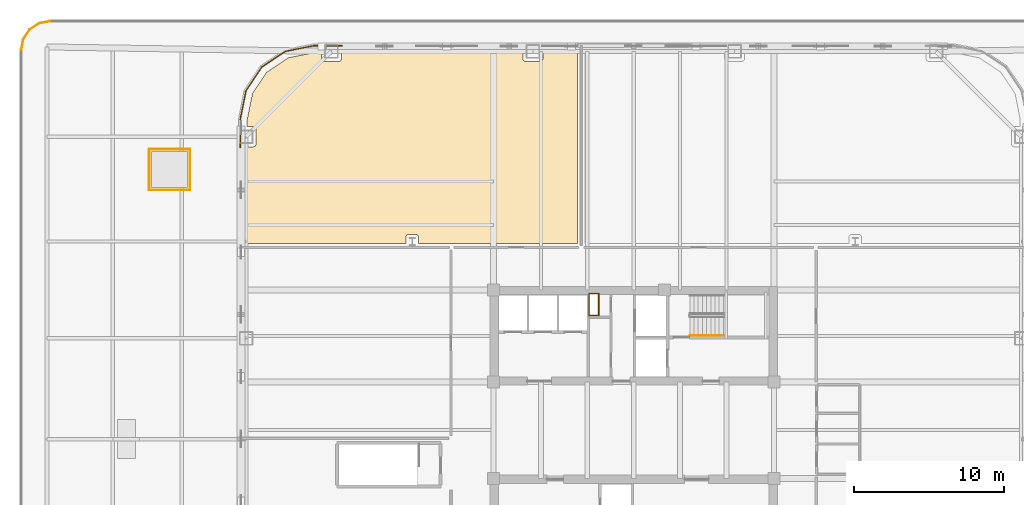
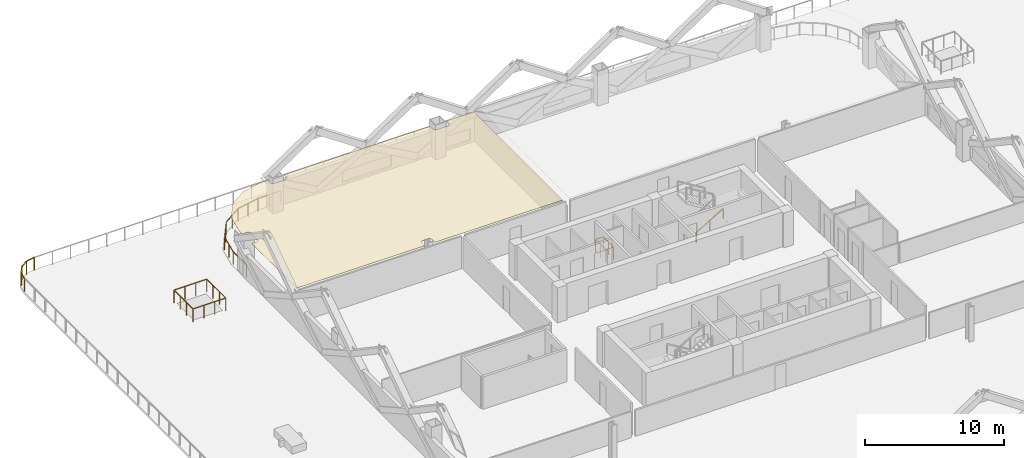
# One storey, part 14 of 17: 11 railings, 1 covering.
"""IFC4 building model written with IfcOpenShell, lengths in metres."""

import ifcopenshell
import ifcopenshell.guid

model = None  # the IFC model being written
_history = None  # IfcOwnerHistory: only IFC2X3 demands one
_inside = {}  # id of a spatial element -> (the spatial element, [elements in it])
_under = {}  # id of a project, library or spatial element -> (it, [spatial elements below it])
_declared = {}  # id of a project -> (the project, [libraries it declares])
_typed = {}  # id of a type object -> (the type object, [elements of that type])
_made_of = {}  # id of a material, layer set ... -> (it, [elements and type objects made of it])


def new_model(schema):
    """Start an empty IFC model of exactly this schema.

    Asked for "IFC4X3", IfcOpenShell would pick the latest addendum, in which some entities
    have other attributes; the version numbers below select the first issue.
    IFC2X3 requires an IfcOwnerHistory on every rooted entity: one is made here for all.
    """
    global model, _history
    if schema == "IFC4X3":
        model = ifcopenshell.file(schema_version=(4, 3, 0, 0))
    else:
        model = ifcopenshell.file(schema=schema)
    _inside.clear()
    _under.clear()
    _declared.clear()
    _typed.clear()
    _made_of.clear()
    _history = None
    if model.schema == "IFC2X3":
        org = make("IfcOrganization", Name="unknown")
        user = make(
            "IfcPersonAndOrganization",
            ThePerson=make("IfcPerson", FamilyName="unknown"),
            TheOrganization=org,
        )
        app = make(
            "IfcApplication",
            ApplicationDeveloper=org,
            Version="unknown",
            ApplicationFullName="unknown",
            ApplicationIdentifier="unknown",
        )
        _history = make(
            "IfcOwnerHistory",
            OwningUser=user,
            OwningApplication=app,
            ChangeAction="ADDED",
            CreationDate=0,
        )
    return model


def make(cls, **values):
    """One entity of the class cls with the attributes given. An attribute that is None is left unset."""
    return model.create_entity(
        cls, **{name: value for name, value in values.items() if value is not None}
    )


def rooted(cls, **values):
    """An entity with a GlobalId (a new one), such as an element, a storey or a relation."""
    return make(cls, GlobalId=ifcopenshell.guid.new(), OwnerHistory=_history, **values)


def si_unit(unit_type, name, prefix=None):
    """IfcSIUnit, for example si_unit("LENGTHUNIT", "METRE", prefix="MILLI")."""
    return make("IfcSIUnit", UnitType=unit_type, Prefix=prefix, Name=name)


def assignment(units):
    """IfcUnitAssignment: the units of a project."""
    return None if units is None else make("IfcUnitAssignment", Units=units)


def point(xyz):
    """IfcCartesianPoint."""
    return None if xyz is None else make("IfcCartesianPoint", Coordinates=xyz)


def direction(xyz):
    """IfcDirection."""
    return None if xyz is None else make("IfcDirection", DirectionRatios=xyz)


def frame(location, z_axis=None, x_axis=None):
    """IfcAxis2Placement3D, a coordinate frame: its origin and axes. An axis left out is left unset."""
    return make(
        "IfcAxis2Placement3D",
        Location=point(location),
        Axis=direction(z_axis),
        RefDirection=direction(x_axis),
    )


def frame_2d(location, x_axis=None):
    """IfcAxis2Placement2D, a coordinate frame in the plane: its origin and x axis."""
    return make(
        "IfcAxis2Placement2D", Location=point(location), RefDirection=direction(x_axis)
    )


def origin():
    """The frame at (0, 0, 0) with its axes left unset."""
    return frame((0.0, 0.0, 0.0))


def origin_2d():
    """The frame at (0, 0) in the plane with its x axis left unset."""
    return frame_2d((0.0, 0.0))


def place(relative_to, where):
    """IfcLocalPlacement: puts the frame where relative to a parent placement (None: the world)."""
    return make(
        "IfcLocalPlacement", PlacementRelTo=relative_to, RelativePlacement=where
    )


def context(
    kind, dimensions, precision=None, world=None, true_north=None, identifier=None
):
    """IfcGeometricRepresentationContext, for example the 3D "Model" context."""
    return make(
        "IfcGeometricRepresentationContext",
        ContextIdentifier=identifier,
        ContextType=kind,
        CoordinateSpaceDimension=dimensions,
        Precision=precision,
        WorldCoordinateSystem=world,
        TrueNorth=true_north,
    )


def subcontext(parent, identifier, kind, view, scale=None):
    """IfcGeometricRepresentationSubContext, for example "Body" below "Model"."""
    return make(
        "IfcGeometricRepresentationSubContext",
        ContextIdentifier=identifier,
        ContextType=kind,
        ParentContext=parent,
        TargetScale=scale,
        TargetView=view,
    )


def project(units=None, contexts=None):
    """IfcProject with its units and contexts."""
    return rooted(
        "IfcProject",
        Name="project",
        RepresentationContexts=contexts,
        UnitsInContext=assignment(units),
    )


def spatial(cls, under=None, at=None, **own):
    """A site, building, storey or space (cls), placed at a placement, below another one or the project."""
    s = rooted(cls, ObjectPlacement=at, **own)
    if under is not None:
        _under.setdefault(under.id(), (under, []))[1].append(s)
    return s


def polyline(points):
    """IfcPolyline through the points."""
    return make("IfcPolyline", Points=[point(p) for p in points])


def profile(cls, at=None, kind="AREA", **sizes):
    """A parametric profile (cls). Its sizes go by their IFC names, for example OverallWidth=200.0."""
    return make(cls, ProfileType=kind, Position=at, **sizes)


def rectangle(**sizes):
    """IfcRectangleProfileDef."""
    return profile("IfcRectangleProfileDef", **sizes)


def outline(outer, holes=None, kind="AREA"):
    """IfcArbitraryClosedProfileDef: a profile drawn as a closed curve; with holes, ...WithVoids."""
    if holes is None:
        return make("IfcArbitraryClosedProfileDef", ProfileType=kind, OuterCurve=outer)
    return make(
        "IfcArbitraryProfileDefWithVoids",
        ProfileType=kind,
        OuterCurve=outer,
        InnerCurves=holes,
    )


def extrude(swept, where, along, depth):
    """IfcExtrudedAreaSolid: the profile swept, set in the frame where, extruded along a direction by depth."""
    return make(
        "IfcExtrudedAreaSolid",
        SweptArea=swept,
        Position=where,
        ExtrudedDirection=direction(along),
        Depth=depth,
    )


def shape(context_of_items, identifier, shape_type, items):
    """IfcShapeRepresentation: the items that make up one representation, for example the "Body"."""
    return make(
        "IfcShapeRepresentation",
        ContextOfItems=context_of_items,
        RepresentationIdentifier=identifier,
        RepresentationType=shape_type,
        Items=items,
    )


def material(Name=None, Category=None):
    """IfcMaterial."""
    return make("IfcMaterial", Name=Name, Category=Category)


def layer(
    of_material, thickness, ventilated=None, Name=None, Category=None, Priority=None
):
    """IfcMaterialLayer: one layer of a wall or slab, of a material (None: an air gap)."""
    return make(
        "IfcMaterialLayer",
        Material=of_material,
        LayerThickness=thickness,
        IsVentilated=ventilated,
        Name=Name,
        Category=Category,
        Priority=Priority,
    )


def layer_set(layers, Name=None):
    """IfcMaterialLayerSet."""
    return make("IfcMaterialLayerSet", MaterialLayers=layers, LayerSetName=Name)


def made_of(thing, what):
    """Note that an element or type object is made of a material, layer set ...; save() writes the relation."""
    if what is not None:
        _made_of.setdefault(what.id(), (what, []))[1].append(thing)
    return thing


def type_object(cls, material=None, **own):
    """A type object (cls), such as IfcWallType, which elements share."""
    return made_of(rooted(cls, **own), material)


def element(
    cls,
    number,
    at=None,
    inside=None,
    cuts=None,
    type_object=None,
    material=None,
    context=None,
    identifier="Body",
    shape_type=None,
    held_by="IfcProductDefinitionShape",
    body=None,
    shapes=None,
    **own,
):
    """One element of the class cls, such as IfcWall. Its Tag is "e" and its number.

    at: its placement. inside: the storey or other place that contains it. cuts: it is an
    opening in that element (IfcRelVoidsElement). A single representation is given by context,
    identifier, shape_type and body (its items); several are given by shapes. held_by: the class
    of the entity that holds the representations. save() writes the other relations.
    """
    e = rooted(cls, Tag="e%d" % number, ObjectPlacement=at, **own)
    if body is not None:
        shapes = [shape(context, identifier, shape_type, body)]
    if shapes is not None:
        e.Representation = make(held_by, Representations=shapes)
    if inside is not None:
        _inside.setdefault(inside.id(), (inside, []))[1].append(e)
    if cuts is not None:
        rooted(
            "IfcRelVoidsElement", RelatingBuildingElement=cuts, RelatedOpeningElement=e
        )
    if type_object is not None:
        _typed.setdefault(type_object.id(), (type_object, []))[1].append(e)
    return made_of(e, material)


def aggregate(whole, parts):
    """IfcRelAggregates: a whole, such as a stair, and the parts it consists of."""
    return rooted("IfcRelAggregates", RelatingObject=whole, RelatedObjects=parts)


def save(model, path):
    """Write the relations noted so far, then the file.

    IfcRelAggregates (storeys below a building ...), IfcRelContainedInSpatialStructure (elements
    in a storey), IfcRelDefinesByType, IfcRelAssociatesMaterial and IfcRelDeclares: one each for
    every whole, place, type object, material and project.
    """
    for whole, parts in _under.values():
        aggregate(whole, parts)
    for where, things in _inside.values():
        rooted(
            "IfcRelContainedInSpatialStructure",
            RelatedElements=things,
            RelatingStructure=where,
        )
    for kind, things in _typed.values():
        rooted("IfcRelDefinesByType", RelatedObjects=things, RelatingType=kind)
    for what, things in _made_of.values():
        rooted("IfcRelAssociatesMaterial", RelatedObjects=things, RelatingMaterial=what)
    for by, libraries in _declared.values():
        rooted("IfcRelDeclares", RelatingContext=by, RelatedDefinitions=libraries)
    model.write(path)


model = new_model("IFC4")

# Units and contexts
model_context = context("Model", 3, precision=1e-05, world=origin(), true_north=direction((0.0, 1.0)))
body_context = subcontext(model_context, "Body", "Model", "MODEL_VIEW")
ifc_project = project(units=[si_unit("LENGTHUNIT", "METRE"), si_unit("AREAUNIT", "SQUARE_METRE"), si_unit("VOLUMEUNIT", "CUBIC_METRE"), si_unit("PLANEANGLEUNIT", "RADIAN"), si_unit("MASSUNIT", "GRAM", prefix="KILO")], contexts=[model_context])

# Site, building, storey
site_placement = place(None, origin())
site = spatial("IfcSite", under=ifc_project, at=site_placement, CompositionType="ELEMENT")
building_placement = place(site_placement, origin())
building = spatial("IfcBuilding", under=site, at=building_placement, Name="Qhalaya Broadcast Tower", CompositionType="ELEMENT")
storey_placement = place(building_placement, frame((0.0, 0.0, 26.10009765625)))
storey = spatial("IfcBuildingStorey", under=building, at=storey_placement, Name="L06", CompositionType="ELEMENT", Elevation=26.10009765625)

# Covering
ifc_material_1 = material(Name="Acoustic Mineral-Fibre Ceiling")
ifc_layer = layer(ifc_material_1, 0.0400390625, Name="Acoustic Mineral-Fibre Ceiling")
ifc_layer_set = layer_set([ifc_layer], Name="Acoustic Mineral-Fibre Ceiling")
covering_type = type_object("IfcCoveringType", Name="Acoustic Mineral-Fibre Suspended Ceiling CLG-01", PredefinedType="CEILING", material=ifc_layer_set)
covering_placement = place(storey_placement, frame((0.0, 0.0, 2.789794921875)))
element("IfcCovering", 1, at=covering_placement, inside=storey, type_object=covering_type, Name="L06 Acoustic Suspended Ceiling 01", PredefinedType="CEILING", context=body_context, shape_type="SweptSolid", body=[
    extrude(outline(polyline([(-25.820068359375, 19.530029296875), (-25.820068359375, 13.06005859375), (-15.22900390625, 13.06005859375), (-15.22900390625, 13.47509765625), (-15.22802734375, 13.49462890625), (-15.22509765625, 13.513916015625), (-15.220458984375, 13.533203125), (-15.2138671875, 13.551513671875), (-15.205322265625, 13.5693359375), (-15.1953125, 13.586181640625), (-15.18359375, 13.601806640625), (-15.17041015625, 13.616455078125), (-15.156005859375, 13.629638671875), (-15.14013671875, 13.641357421875), (-15.123291015625, 13.6513671875), (-15.10546875, 13.659912109375), (-15.087158203125, 13.66650390625), (-15.068115234375, 13.671142578125), (-15.048583984375, 13.674072265625), (-15.029052734375, 13.675048828125), (-14.571044921875, 13.675048828125), (-14.551513671875, 13.674072265625), (-14.531982421875, 13.671142578125), (-14.512939453125, 13.66650390625), (-14.494384765625, 13.659912109375), (-14.476806640625, 13.6513671875), (-14.4599609375, 13.641357421875), (-14.444091796875, 13.629638671875), (-14.4296875, 13.616455078125), (-14.41650390625, 13.601806640625), (-14.40478515625, 13.586181640625), (-14.39453125, 13.5693359375), (-14.38623046875, 13.551513671875), (-14.379638671875, 13.533203125), (-14.374755859375, 13.513916015625), (-14.3720703125, 13.49462890625), (-14.37109375, 13.47509765625), (-14.37109375, 13.06005859375), (-3.760009765625, 13.06005859375), (-3.760009765625, 25.820068359375), (-6.063232421875, 25.820068359375), (-6.063232421875, 25.429931640625), (-6.064208984375, 25.410400390625), (-6.067138671875, 25.39111328125), (-6.072021484375, 25.371826171875), (-6.07861328125, 25.353515625), (-6.0869140625, 25.335693359375), (-6.096923828125, 25.31884765625), (-6.108642578125, 25.302978515625), (-6.121826171875, 25.28857421875), (-6.136474609375, 25.275390625), (-6.152099609375, 25.263671875), (-6.1689453125, 25.253662109375), (-6.186767578125, 25.2451171875), (-6.205078125, 25.238525390625), (-6.224365234375, 25.23388671875), (-6.24365234375, 25.23095703125), (-6.26318359375, 25.22998046875), (-7.203369140625, 25.22998046875), (-7.222900390625, 25.23095703125), (-7.2421875, 25.23388671875), (-7.261474609375, 25.238525390625), (-7.27978515625, 25.2451171875), (-7.297607421875, 25.253662109375), (-7.314453125, 25.263671875), (-7.330078125, 25.275390625), (-7.3447265625, 25.28857421875), (-7.35791015625, 25.302978515625), (-7.36962890625, 25.31884765625), (-7.379638671875, 25.335693359375), (-7.38818359375, 25.353515625), (-7.394775390625, 25.371826171875), (-7.3994140625, 25.39111328125), (-7.40234375, 25.410400390625), (-7.4033203125, 25.429931640625), (-7.4033203125, 25.820068359375), (-19.530029296875, 25.820068359375), (-19.530029296875, 25.429931640625), (-19.531005859375, 25.410400390625), (-19.53369140625, 25.39111328125), (-19.53857421875, 25.371826171875), (-19.545166015625, 25.353515625), (-19.5537109375, 25.335693359375), (-19.563720703125, 25.31884765625), (-19.575439453125, 25.302978515625), (-19.588623046875, 25.28857421875), (-19.60302734375, 25.275390625), (-19.618896484375, 25.263671875), (-19.6357421875, 25.253662109375), (-19.653564453125, 25.2451171875), (-19.671875, 25.238525390625), (-19.69091796875, 25.23388671875), (-19.71044921875, 25.23095703125), (-19.72998046875, 25.22998046875), (-20.669921875, 25.22998046875), (-20.689697265625, 25.23095703125), (-20.708984375, 25.23388671875), (-20.72802734375, 25.238525390625), (-20.74658203125, 25.2451171875), (-20.764404296875, 25.253662109375), (-20.781005859375, 25.263671875), (-20.796875, 25.275390625), (-20.811279296875, 25.28857421875), (-20.82470703125, 25.302978515625), (-20.836181640625, 25.31884765625), (-20.846435546875, 25.335693359375), (-20.854736328125, 25.353515625), (-20.861328125, 25.371826171875), (-20.8662109375, 25.39111328125), (-20.868896484375, 25.410400390625), (-20.8701171875, 25.429931640625), (-20.8701171875, 25.820068359375), (-21.343017578125, 25.820068359375), (-23.087158203125, 25.472900390625), (-24.517333984375, 24.517333984375), (-25.472900390625, 23.087158203125), (-25.820068359375, 21.343017578125), (-25.820068359375, 20.8701171875), (-25.429931640625, 20.8701171875), (-25.410400390625, 20.868896484375), (-25.39111328125, 20.8662109375), (-25.371826171875, 20.861328125), (-25.353515625, 20.854736328125), (-25.335693359375, 20.846435546875), (-25.31884765625, 20.836181640625), (-25.302978515625, 20.82470703125), (-25.28857421875, 20.811279296875), (-25.275390625, 20.796875), (-25.263671875, 20.781005859375), (-25.253662109375, 20.764404296875), (-25.2451171875, 20.74658203125), (-25.238525390625, 20.72802734375), (-25.23388671875, 20.708984375), (-25.23095703125, 20.689697265625), (-25.22998046875, 20.669921875), (-25.22998046875, 19.72998046875), (-25.23095703125, 19.71044921875), (-25.23388671875, 19.69091796875), (-25.238525390625, 19.671875), (-25.2451171875, 19.653564453125), (-25.253662109375, 19.6357421875), (-25.263671875, 19.618896484375), (-25.275390625, 19.60302734375), (-25.28857421875, 19.588623046875), (-25.302978515625, 19.575439453125), (-25.31884765625, 19.563720703125), (-25.335693359375, 19.5537109375), (-25.353515625, 19.545166015625), (-25.371826171875, 19.53857421875), (-25.39111328125, 19.53369140625), (-25.410400390625, 19.531005859375), (-25.429931640625, 19.530029296875), (-25.820068359375, 19.530029296875)])), origin(), (0.0, 0.0, 1.0), 0.0400390625),
])

# Railings
ifc_material_2 = material(Name="Powder-Coated Galvanised Steel", Category="steel")
railing_type_1 = type_object("IfcRailingType", Name="Stair Wall Handrail 900", PredefinedType="HANDRAIL", material=ifc_material_2)
railing_1_placement = place(storey_placement, frame((3.75, 6.929931640625, 0.16943359375)))
element("IfcRailing", 2, at=railing_1_placement, inside=storey, type_object=railing_type_1, Name="L06 ST-1 Stair Handrail 1", PredefinedType="HANDRAIL", context=body_context, shape_type="SweptSolid", body=[
    extrude(rectangle(XDim=0.048095703125, YDim=0.048095703125, at=origin_2d()), frame((0.0, 0.0, 0.8759765625), z_axis=(0.855553338991, 0.0, 0.51771467445), x_axis=(0.0, 1.0, 0.0)), (0.0, 0.0, 1.0), 2.6181640625),
    extrude(rectangle(XDim=0.0419921875, YDim=0.0419921875, at=origin_2d()), origin(), (0.0, 0.0, 1.0), 0.849853515625),
    extrude(rectangle(XDim=0.0419921875, YDim=0.0419921875, at=origin_2d()), frame((1.1201171875, 0.0, 0.677734375)), (0.0, 0.0, 1.0), 0.849853515625),
    extrude(rectangle(XDim=0.0419921875, YDim=0.0419921875, at=origin_2d()), frame((2.239990234375, 0.0, 1.35546875)), (0.0, 0.0, 1.0), 0.849853515625),
])
railing_type_2 = type_object("IfcRailingType", Name="Stair Well & Landing Guardrail 1100", PredefinedType="GUARDRAIL", material=ifc_material_2)
railing_2_placement = place(storey_placement, frame((-2.340087890625, 8.239990234375, 0.0)))
element("IfcRailing", 3, at=railing_2_placement, inside=storey, type_object=railing_type_2, Name="L06 Service Riser Opening Safety Guard NRSR", PredefinedType="GUARDRAIL", context=body_context, shape_type="SweptSolid", body=[
    extrude(rectangle(XDim=0.048095703125, YDim=0.048095703125, at=origin_2d()), frame((0.0, 0.02880859375, 1.1259765625), z_axis=(0.0, 1.0, 0.0), x_axis=(-1.0, 0.0, 0.0)), (0.0, 0.0, 1.0), 1.42236328125),
    extrude(rectangle(XDim=0.048095703125, YDim=0.048095703125, at=origin_2d()), frame((-0.02880859375, 1.47998046875, 1.1259765625), z_axis=(-1.0, 0.0, 0.0), x_axis=(0.0, -1.0, 0.0)), (0.0, 0.0, 1.0), 0.582275390625),
    extrude(rectangle(XDim=0.048095703125, YDim=0.048095703125, at=origin_2d()), frame((-0.639892578125, 1.451171875, 1.1259765625), z_axis=(0.0, -1.0, 0.0), x_axis=(1.0, 0.0, 0.0)), (0.0, 0.0, 1.0), 1.42236328125),
    extrude(rectangle(XDim=0.048095703125, YDim=0.048095703125, at=origin_2d()), frame((-0.611083984375, 0.0, 1.1259765625), z_axis=(1.0, 0.0, 0.0), x_axis=(0.0, 1.0, 0.0)), (0.0, 0.0, 1.0), 0.582275390625),
    extrude(rectangle(XDim=0.0419921875, YDim=0.0419921875, at=origin_2d()), origin(), (0.0, 0.0, 1.0), 1.099853515625),
    extrude(rectangle(XDim=0.0419921875, YDim=0.0419921875, at=origin_2d()), frame((0.0, 0.739990234375, 0.0)), (0.0, 0.0, 1.0), 1.099853515625),
    extrude(rectangle(XDim=0.0419921875, YDim=0.0419921875, at=origin_2d()), frame((0.0, 1.47998046875, 0.0)), (0.0, 0.0, 1.0), 1.099853515625),
    extrude(rectangle(XDim=0.0419921875, YDim=0.0419921875, at=origin_2d()), frame((-0.639892578125, 1.47998046875, 0.0)), (0.0, 0.0, 1.0), 1.099853515625),
    extrude(rectangle(XDim=0.0419921875, YDim=0.0419921875, at=origin_2d()), frame((-0.639892578125, 0.739990234375, 0.0)), (0.0, 0.0, 1.0), 1.099853515625),
    extrude(rectangle(XDim=0.0419921875, YDim=0.0419921875, at=origin_2d()), frame((-0.639892578125, 0.0, 0.0)), (0.0, 0.0, 1.0), 1.099853515625),
])
railing_type_3 = type_object("IfcRailingType", Name="Terrace, Sky-Pool & Lookout Glass Balustrade 1150", PredefinedType="BALUSTRADE", material=ifc_material_2)
railing_3_placement = place(storey_placement, frame((-40.919921875, 25.9921875, 0.0)))
element("IfcRailing", 4, at=railing_3_placement, inside=storey, type_object=railing_type_3, Name="L06 Perimeter Safety Balustrade BAL-TER1-07", PredefinedType="BALUSTRADE", context=body_context, shape_type="SweptSolid", body=[
    extrude(rectangle(XDim=0.048095703125, YDim=0.048095703125, at=origin_2d()), frame((0.0, 0.0, 1.1259765625), z_axis=(0.194936740243, 0.980815817217, 0.0), x_axis=(-0.980815817217, 0.194936740243, 0.0)), (0.0, 0.0, 1.0), 0.75634765625),
    extrude(rectangle(XDim=0.0419921875, YDim=0.0419921875, at=origin_2d()), origin(), (0.0, 0.0, 1.0), 1.099853515625),
    extrude(rectangle(XDim=0.0419921875, YDim=0.0419921875, at=origin_2d()), frame((0.1474609375, 0.741943359375, 0.0)), (0.0, 0.0, 1.0), 1.099853515625),
])
railing_4_placement = place(storey_placement, frame((-40.7724609375, 26.734130859375, 0.0)))
element("IfcRailing", 5, at=railing_4_placement, inside=storey, type_object=railing_type_3, Name="L06 Perimeter Safety Balustrade BAL-TER1-08", PredefinedType="BALUSTRADE", context=body_context, shape_type="SweptSolid", body=[
    extrude(rectangle(XDim=0.048095703125, YDim=0.048095703125, at=origin_2d()), frame((0.0, 0.0, 1.1259765625), z_axis=(0.555753455158, 0.831347157979, 0.0), x_axis=(-0.831347157979, 0.555753455158, 0.0)), (0.0, 0.0, 1.0), 0.74853515625),
    extrude(rectangle(XDim=0.0419921875, YDim=0.0419921875, at=origin_2d()), origin(), (0.0, 0.0, 1.0), 1.099853515625),
    extrude(rectangle(XDim=0.0419921875, YDim=0.0419921875, at=origin_2d()), frame((0.416015625, 0.622314453125, 0.0)), (0.0, 0.0, 1.0), 1.099853515625),
])
railing_5_placement = place(storey_placement, frame((-40.3564453125, 27.3564453125, 0.0)))
element("IfcRailing", 6, at=railing_5_placement, inside=storey, type_object=railing_type_3, Name="L06 Perimeter Safety Balustrade BAL-TER1-09", PredefinedType="BALUSTRADE", context=body_context, shape_type="SweptSolid", body=[
    extrude(rectangle(XDim=0.048095703125, YDim=0.048095703125, at=origin_2d()), frame((0.0, 0.0, 1.1259765625), z_axis=(0.831347157979, 0.555753455158, 0.0), x_axis=(-0.555753455158, 0.831347157979, 0.0)), (0.0, 0.0, 1.0), 0.74853515625),
    extrude(rectangle(XDim=0.0419921875, YDim=0.0419921875, at=origin_2d()), origin(), (0.0, 0.0, 1.0), 1.099853515625),
    extrude(rectangle(XDim=0.0419921875, YDim=0.0419921875, at=origin_2d()), frame((0.622314453125, 0.416015625, 0.0)), (0.0, 0.0, 1.0), 1.099853515625),
])
railing_6_placement = place(storey_placement, frame((-39.734130859375, 27.7724609375, 0.0)))
element("IfcRailing", 7, at=railing_6_placement, inside=storey, type_object=railing_type_3, Name="L06 Perimeter Safety Balustrade BAL-TER1-10", PredefinedType="BALUSTRADE", context=body_context, shape_type="SweptSolid", body=[
    extrude(rectangle(XDim=0.048095703125, YDim=0.048095703125, at=origin_2d()), frame((0.0, 0.0, 1.1259765625), z_axis=(0.980815817217, 0.194936740243, 0.0), x_axis=(-0.194936740243, 0.980815817217, 0.0)), (0.0, 0.0, 1.0), 0.75634765625),
    extrude(rectangle(XDim=0.0419921875, YDim=0.0419921875, at=origin_2d()), origin(), (0.0, 0.0, 1.0), 1.099853515625),
    extrude(rectangle(XDim=0.0419921875, YDim=0.0419921875, at=origin_2d()), frame((0.741943359375, 0.1474609375, 0.0)), (0.0, 0.0, 1.0), 1.099853515625),
])
railing_7_placement = place(storey_placement, frame((-32.360107421875, 16.639892578125, 0.0)))
element("IfcRailing", 8, at=railing_7_placement, inside=storey, type_object=railing_type_3, Name="L06 Skylight Safety Guard SK2-3-1", PredefinedType="BALUSTRADE", context=body_context, shape_type="SweptSolid", body=[
    extrude(rectangle(XDim=0.048095703125, YDim=0.048095703125, at=origin_2d()), frame((0.0, 0.0, 1.1259765625), z_axis=(1.0, 0.0, 0.0), x_axis=(0.0, 1.0, 0.0)), (0.0, 0.0, 1.0), 2.72021484375),
    extrude(rectangle(XDim=0.0419921875, YDim=0.0419921875, at=origin_2d()), origin(), (0.0, 0.0, 1.0), 1.099853515625),
    extrude(rectangle(XDim=0.0419921875, YDim=0.0419921875, at=origin_2d()), frame((0.90673828125, 0.0, 0.0)), (0.0, 0.0, 1.0), 1.099853515625),
    extrude(rectangle(XDim=0.0419921875, YDim=0.0419921875, at=origin_2d()), frame((1.8134765625, 0.0, 0.0)), (0.0, 0.0, 1.0), 1.099853515625),
    extrude(rectangle(XDim=0.0419921875, YDim=0.0419921875, at=origin_2d()), frame((2.72021484375, 0.0, 0.0)), (0.0, 0.0, 1.0), 1.099853515625),
])
railing_8_placement = place(storey_placement, frame((-29.639892578125, 16.639892578125, 0.0)))
element("IfcRailing", 9, at=railing_8_placement, inside=storey, type_object=railing_type_3, Name="L06 Skylight Safety Guard SK2-3-2", PredefinedType="BALUSTRADE", context=body_context, shape_type="SweptSolid", body=[
    extrude(rectangle(XDim=0.048095703125, YDim=0.048095703125, at=origin_2d()), frame((0.0, 0.0, 1.1259765625), z_axis=(0.0, 1.0, 0.0), x_axis=(-1.0, 0.0, 0.0)), (0.0, 0.0, 1.0), 2.72021484375),
    extrude(rectangle(XDim=0.0419921875, YDim=0.0419921875, at=origin_2d()), origin(), (0.0, 0.0, 1.0), 1.099853515625),
    extrude(rectangle(XDim=0.0419921875, YDim=0.0419921875, at=origin_2d()), frame((0.0, 0.90673828125, 0.0)), (0.0, 0.0, 1.0), 1.099853515625),
    extrude(rectangle(XDim=0.0419921875, YDim=0.0419921875, at=origin_2d()), frame((0.0, 1.8134765625, 0.0)), (0.0, 0.0, 1.0), 1.099853515625),
    extrude(rectangle(XDim=0.0419921875, YDim=0.0419921875, at=origin_2d()), frame((0.0, 2.72021484375, 0.0)), (0.0, 0.0, 1.0), 1.099853515625),
])
railing_9_placement = place(storey_placement, frame((-29.639892578125, 19.360107421875, 0.0)))
element("IfcRailing", 10, at=railing_9_placement, inside=storey, type_object=railing_type_3, Name="L06 Skylight Safety Guard SK2-3-3", PredefinedType="BALUSTRADE", context=body_context, shape_type="SweptSolid", body=[
    extrude(rectangle(XDim=0.048095703125, YDim=0.048095703125, at=origin_2d()), frame((0.0, 0.0, 1.1259765625), z_axis=(-1.0, 0.0, 0.0), x_axis=(0.0, -1.0, 0.0)), (0.0, 0.0, 1.0), 2.72021484375),
    extrude(rectangle(XDim=0.0419921875, YDim=0.0419921875, at=origin_2d()), origin(), (0.0, 0.0, 1.0), 1.099853515625),
    extrude(rectangle(XDim=0.0419921875, YDim=0.0419921875, at=origin_2d()), frame((-0.90673828125, 0.0, 0.0)), (0.0, 0.0, 1.0), 1.099853515625),
    extrude(rectangle(XDim=0.0419921875, YDim=0.0419921875, at=origin_2d()), frame((-1.8134765625, 0.0, 0.0)), (0.0, 0.0, 1.0), 1.099853515625),
    extrude(rectangle(XDim=0.0419921875, YDim=0.0419921875, at=origin_2d()), frame((-2.72021484375, 0.0, 0.0)), (0.0, 0.0, 1.0), 1.099853515625),
])
railing_10_placement = place(storey_placement, frame((-32.360107421875, 19.360107421875, 0.0)))
element("IfcRailing", 11, at=railing_10_placement, inside=storey, type_object=railing_type_3, Name="L06 Skylight Safety Guard SK2-3-4", PredefinedType="BALUSTRADE", context=body_context, shape_type="SweptSolid", body=[
    extrude(rectangle(XDim=0.048095703125, YDim=0.048095703125, at=origin_2d()), frame((0.0, 0.0, 1.1259765625), z_axis=(0.0, -1.0, 0.0), x_axis=(1.0, 0.0, 0.0)), (0.0, 0.0, 1.0), 2.72021484375),
    extrude(rectangle(XDim=0.0419921875, YDim=0.0419921875, at=origin_2d()), origin(), (0.0, 0.0, 1.0), 1.099853515625),
    extrude(rectangle(XDim=0.0419921875, YDim=0.0419921875, at=origin_2d()), frame((0.0, -0.90673828125, 0.0)), (0.0, 0.0, 1.0), 1.099853515625),
    extrude(rectangle(XDim=0.0419921875, YDim=0.0419921875, at=origin_2d()), frame((0.0, -1.8134765625, 0.0)), (0.0, 0.0, 1.0), 1.099853515625),
    extrude(rectangle(XDim=0.0419921875, YDim=0.0419921875, at=origin_2d()), frame((0.0, -2.72021484375, 0.0)), (0.0, 0.0, 1.0), 1.099853515625),
])
railing_11_placement = place(storey_placement, frame((-26.280029296875, 19.48193359375, 0.0)))
element("IfcRailing", 12, at=railing_11_placement, inside=storey, type_object=railing_type_3, Name="L06 Rounded Corner Perimeter Guard 03", PredefinedType="BALUSTRADE", context=body_context, shape_type="SweptSolid", body=[
    extrude(rectangle(XDim=0.048095703125, YDim=0.048095703125, at=origin_2d()), frame((0.0, 0.0, 1.1259765625), z_axis=(0.0, 1.0, 0.0), x_axis=(-1.0, 0.0, 0.0)), (0.0, 0.0, 1.0), 1.87744140625),
    extrude(rectangle(XDim=0.048095703125, YDim=0.048095703125, at=origin_2d()), frame((0.005615234375, 1.9345703125, 1.1259765625), z_axis=(0.195037378397, 0.980795810058, 0.0), x_axis=(-0.980795810058, 0.195037378397, 0.0)), (0.0, 0.0, 1.0), 1.857421875),
    extrude(rectangle(XDim=0.048095703125, YDim=0.048095703125, at=origin_2d()), frame((0.3896484375, 3.80859375, 1.1259765625), z_axis=(0.555558355728, 0.831477548332, 0.0), x_axis=(-0.831477548332, 0.555558355728, 0.0)), (0.0, 0.0, 1.0), 1.845458984375),
    extrude(rectangle(XDim=0.048095703125, YDim=0.048095703125, at=origin_2d()), frame((1.454833984375, 5.38330078125, 1.1259765625), z_axis=(0.831477548332, 0.555558355728, 0.0), x_axis=(-0.555558355728, 0.831477548332, 0.0)), (0.0, 0.0, 1.0), 1.845458984375),
    extrude(rectangle(XDim=0.048095703125, YDim=0.048095703125, at=origin_2d()), frame((3.041748046875, 6.43017578125, 1.1259765625), z_axis=(0.980795810058, 0.195037378397, 0.0), x_axis=(-0.195037378397, 0.980795810058, 0.0)), (0.0, 0.0, 1.0), 1.857421875),
    extrude(rectangle(XDim=0.048095703125, YDim=0.048095703125, at=origin_2d()), frame((4.920654296875, 6.798095703125, 1.1259765625), z_axis=(1.0, 0.0, 0.0), x_axis=(0.0, 1.0, 0.0)), (0.0, 0.0, 1.0), 1.87744140625),
    extrude(rectangle(XDim=0.0419921875, YDim=0.0419921875, at=origin_2d()), origin(), (0.0, 0.0, 1.0), 1.099853515625),
    extrude(rectangle(XDim=0.0419921875, YDim=0.0419921875, at=origin_2d()), frame((0.0, 0.953125, 0.0)), (0.0, 0.0, 1.0), 1.099853515625),
    extrude(rectangle(XDim=0.0419921875, YDim=0.0419921875, at=origin_2d()), frame((0.0, 1.90625, 0.0)), (0.0, 0.0, 1.0), 1.099853515625),
    extrude(rectangle(XDim=0.0419921875, YDim=0.0419921875, at=origin_2d()), frame((0.186767578125, 2.845458984375, 0.0)), (0.0, 0.0, 1.0), 1.099853515625),
    extrude(rectangle(XDim=0.0419921875, YDim=0.0419921875, at=origin_2d()), frame((0.37353515625, 3.78466796875, 0.0)), (0.0, 0.0, 1.0), 1.099853515625),
    extrude(rectangle(XDim=0.0419921875, YDim=0.0419921875, at=origin_2d()), frame((0.90234375, 4.575927734375, 0.0)), (0.0, 0.0, 1.0), 1.099853515625),
    extrude(rectangle(XDim=0.0419921875, YDim=0.0419921875, at=origin_2d()), frame((1.430908203125, 5.3671875, 0.0)), (0.0, 0.0, 1.0), 1.099853515625),
    extrude(rectangle(XDim=0.0419921875, YDim=0.0419921875, at=origin_2d()), frame((2.22216796875, 5.89599609375, 0.0)), (0.0, 0.0, 1.0), 1.099853515625),
    extrude(rectangle(XDim=0.0419921875, YDim=0.0419921875, at=origin_2d()), frame((3.013427734375, 6.424560546875, 0.0)), (0.0, 0.0, 1.0), 1.099853515625),
    extrude(rectangle(XDim=0.0419921875, YDim=0.0419921875, at=origin_2d()), frame((3.95263671875, 6.611328125, 0.0)), (0.0, 0.0, 1.0), 1.099853515625),
    extrude(rectangle(XDim=0.0419921875, YDim=0.0419921875, at=origin_2d()), frame((4.891845703125, 6.798095703125, 0.0)), (0.0, 0.0, 1.0), 1.099853515625),
    extrude(rectangle(XDim=0.0419921875, YDim=0.0419921875, at=origin_2d()), frame((5.844970703125, 6.798095703125, 0.0)), (0.0, 0.0, 1.0), 1.099853515625),
    extrude(rectangle(XDim=0.0419921875, YDim=0.0419921875, at=origin_2d()), frame((6.798095703125, 6.798095703125, 0.0)), (0.0, 0.0, 1.0), 1.099853515625),
])

save(model, "model.ifc")
